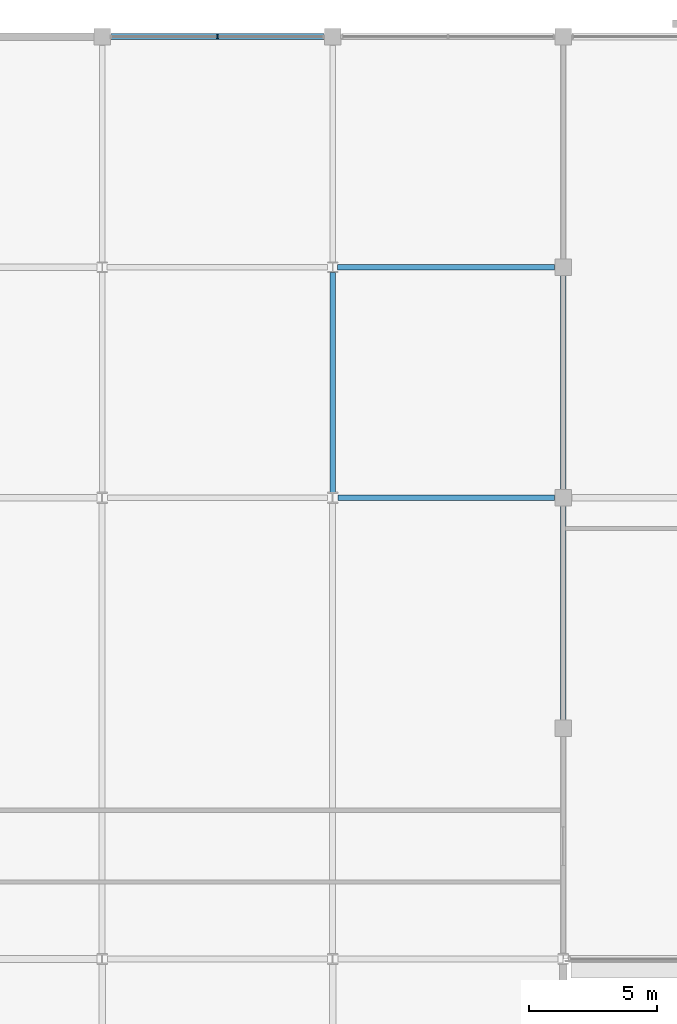
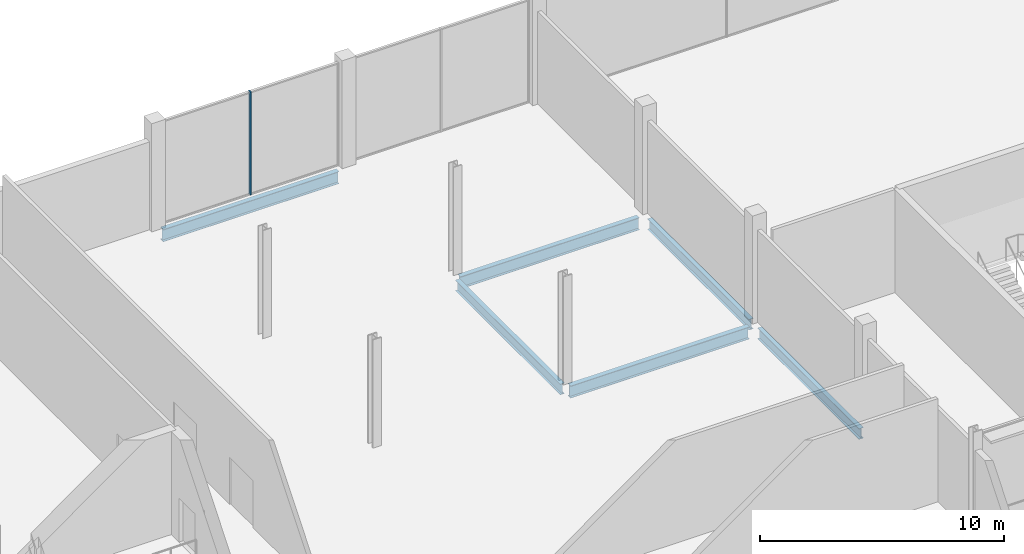
# One storey, part 33 of 113: 6 beams, 1 member, 1 element without a shape of its own.
"""IFC4 building model written with IfcOpenShell, lengths in metres."""

from ifc_helpers import new_model, si_unit, direction, frame, origin, origin_2d, place, context, subcontext, project, spatial, rectangle, i_section, extrude, material, layer, layer_set, material_profile, profile_set, type_object, element, aggregate, save


model = new_model("IFC4")

# Units and contexts
model_context = context("Model", 3, precision=1e-05, world=origin(), true_north=direction((0.0, 1.0)))
body_context = subcontext(model_context, "Body", "Model", "MODEL_VIEW")
ifc_project = project(units=[si_unit("LENGTHUNIT", "METRE"), si_unit("AREAUNIT", "SQUARE_METRE"), si_unit("VOLUMEUNIT", "CUBIC_METRE"), si_unit("PLANEANGLEUNIT", "RADIAN"), si_unit("MASSUNIT", "GRAM", prefix="KILO")], contexts=[model_context])

# Site, building, storey
site_placement = place(None, origin())
site = spatial("IfcSite", under=ifc_project, at=site_placement, CompositionType="ELEMENT")
building_placement = place(site_placement, origin())
building = spatial("IfcBuilding", under=site, at=building_placement, Name="Kisiwana Market Hall", CompositionType="ELEMENT")
storey_placement = place(building_placement, frame((0.0, 0.0, 6.0)))
storey = spatial("IfcBuildingStorey", under=building, at=storey_placement, Name="L01", CompositionType="ELEMENT", Elevation=6.0)

# Beams
ifc_material_1 = material(Name="Steel S355", Category="steel")
ifc_material_profile_1 = material_profile(ifc_material_1, i_section(OverallWidth=0.209228515625, OverallDepth=0.533203125, WebThickness=0.010009765625, FlangeThickness=0.015625, at=origin_2d()), Name="UB 533x210x92")
ifc_profile_set_1 = profile_set([ifc_material_profile_1], Name="Steel S355")
beam_type_1 = type_object("IfcBeamType", Name="BM-GIRD-UB533", PredefinedType="BEAM", material=ifc_profile_set_1)
beam_1_placement = place(storey_placement, frame((36.0, 102.21337890625, -0.5166015625), z_axis=(0.0, 1.0, 0.0), x_axis=(-1.0, 0.0, 0.0)))
element("IfcBeam", 1, at=beam_1_placement, inside=storey, type_object=beam_type_1, Name="Primary girder B-0351", PredefinedType="BEAM", context=body_context, shape_type="SweptSolid", body=[
    extrude(i_section(OverallWidth=0.209228515625, OverallDepth=0.533203125, WebThickness=0.010009765625, FlangeThickness=0.015625, at=origin_2d()), origin(), (0.0, 0.0, 1.0), 8.58740234375),
])
for number, where, z_axis, x_axis, name in (
    (2, (45.0, 93.345947265625, -0.5166015625), (0.0, 1.0, 0.0), (-1.0, 0.0, 0.0), "Primary girder B-0358"),
    (3, (45.0, 102.345947265625, -0.5166015625), (0.0, 1.0, 0.0), (-1.0, 0.0, 0.0), "Primary girder B-0359"),
):
    element("IfcBeam", number, at=place(storey_placement, frame(where, z_axis=z_axis, x_axis=x_axis)), inside=storey, type_object=beam_type_1, Name=name, PredefinedType="BEAM", context=body_context, shape_type="SweptSolid", body=[
        extrude(i_section(OverallWidth=0.209228515625, OverallDepth=0.533203125, WebThickness=0.010009765625, FlangeThickness=0.015625, at=origin_2d()), origin(), (0.0, 0.0, 1.0), 8.30810546875),
    ])
ifc_material_2 = material(Name="Steel S355", Category="steel")
ifc_material_profile_2 = material_profile(ifc_material_2, i_section(OverallWidth=0.22900390625, OverallDepth=0.6123046875, WebThickness=0.011962890625, FlangeThickness=0.01953125, at=origin_2d()), Name="UB 610x229x125")
ifc_profile_set_2 = profile_set([ifc_material_profile_2], Name="Steel S355")
beam_type_2 = type_object("IfcBeamType", Name="BM-GIRD-UB610H", PredefinedType="BEAM", material=ifc_profile_set_2)
beam_2_placement = place(storey_placement, frame((36.201904296875, 102.0, -0.55615234375), z_axis=(1.0, 0.0, 0.0), x_axis=(0.0, 1.0, 0.0)))
element("IfcBeam", 4, at=beam_2_placement, inside=storey, type_object=beam_type_2, Name="Floor beam B-0522", PredefinedType="BEAM", context=body_context, shape_type="SweptSolid", body=[
    extrude(i_section(OverallWidth=0.22900390625, OverallDepth=0.6123046875, WebThickness=0.011962890625, FlangeThickness=0.01953125, at=origin_2d()), origin(), (0.0, 0.0, 1.0), 8.4521484375),
])
beam_3_placement = place(storey_placement, frame((36.197509765625, 111.0, -0.55615234375), z_axis=(1.0, 0.0, 0.0), x_axis=(0.0, 1.0, 0.0)))
element("IfcBeam", 5, at=beam_3_placement, inside=storey, type_object=beam_type_2, Name="Floor beam B-0536", PredefinedType="BEAM", context=body_context, shape_type="SweptSolid", body=[
    extrude(i_section(OverallWidth=0.22900390625, OverallDepth=0.6123046875, WebThickness=0.011962890625, FlangeThickness=0.01953125, at=origin_2d()), origin(), (0.0, 0.0, 1.0), 8.45654296875),
])
beam_4_placement = place(storey_placement, frame((27.345947265625, 120.0, -0.55615234375), z_axis=(1.0, 0.0, 0.0), x_axis=(0.0, 1.0, 0.0)))
element("IfcBeam", 6, at=beam_4_placement, inside=storey, type_object=beam_type_2, Name="Floor beam B-0543", PredefinedType="BEAM", context=body_context, shape_type="SweptSolid", body=[
    extrude(i_section(OverallWidth=0.22900390625, OverallDepth=0.6123046875, WebThickness=0.011962890625, FlangeThickness=0.01953125, at=origin_2d()), origin(), (0.0, 0.0, 1.0), 8.30810546875),
])

# Curtain wall, member
ifc_material_3 = material(Name="Double-glazed solar-control low-E IGU", Category="glass")
ifc_layer = layer(ifc_material_3, 0.159912109375)
ifc_layer_set = layer_set([ifc_layer], Name="CW-FC-N-8100")
curtain_wall_type = type_object("IfcCurtainWallType", Name="CW-FC-N-8100", PredefinedType="USERDEFINED", material=ifc_layer_set)
curtain_wall_placement = place(storey_placement, origin())
curtain_wall = element("IfcCurtainWall", 7, at=curtain_wall_placement, inside=storey, type_object=curtain_wall_type, Name="Unitised curtain wall CW-034 (L01)", ObjectType="UNITISED CURTAIN WALL", PredefinedType="USERDEFINED")
ifc_material_4 = material(Name="Aluminium alloy 6063-T6", Category="aluminium")
ifc_material_profile_3 = material_profile(ifc_material_4, rectangle(XDim=0.06005859375, YDim=0.159912109375, at=origin_2d()), Name="ALU MULLION 60x160")
ifc_profile_set_3 = profile_set([ifc_material_profile_3], Name="Aluminium alloy 6063-T6")
member_type = type_object("IfcMemberType", Name="CW-MULL-60x160", PredefinedType="MULLION", material=ifc_profile_set_3)
member_placement = place(storey_placement, frame((31.5, 120.0, 0.0), z_axis=(0.0, 0.0, 1.0), x_axis=(1.0, 0.0, 0.0)))
member = element("IfcMember", 8, at=member_placement, type_object=member_type, Name="CW-034 mullion 2", PredefinedType="MULLION", context=body_context, shape_type="SweptSolid", body=[
    extrude(rectangle(XDim=0.06005859375, YDim=0.159912109375, at=origin_2d()), origin(), (0.0, 0.0, 1.0), 5.14990234375),
])
aggregate(curtain_wall, [member])

save(model, "model.ifc")
